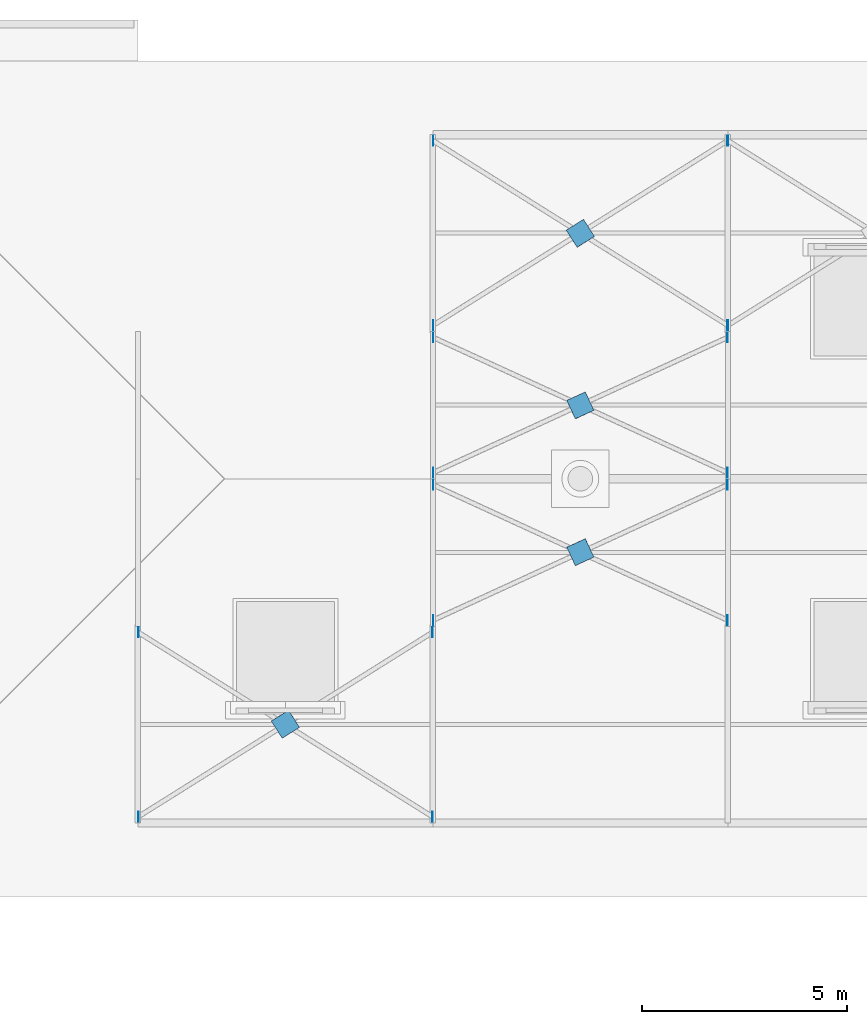
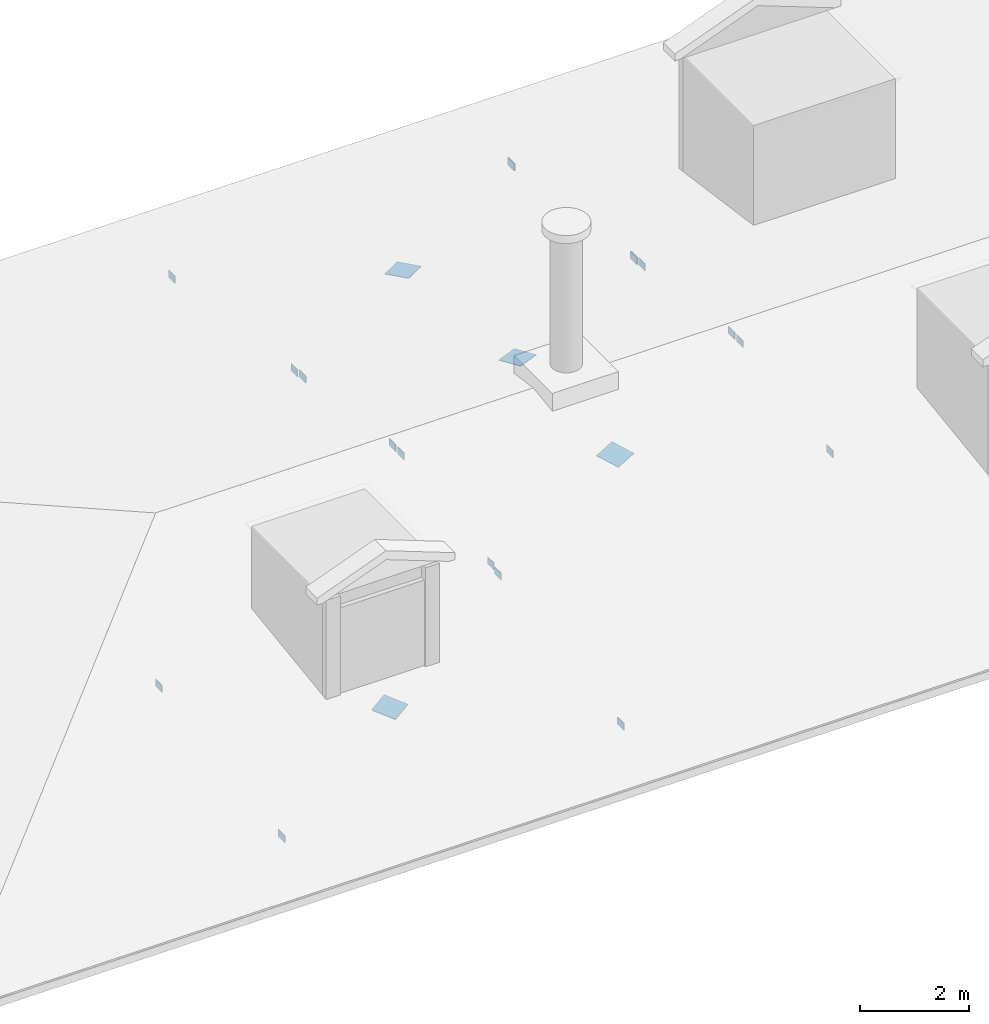
# One storey, part 7 of 24: 22 discrete accessories.
"""IFC4 building model written with IfcOpenShell, lengths in metres."""

from ifc_helpers import new_model, si_unit, direction, frame, origin, origin_2d, place, context, subcontext, project, spatial, rectangle, extrude, material, material_profile, profile_set, type_object, element, save


model = new_model("IFC4")

# Units and contexts
model_context = context("Model", 3, precision=1e-05, world=origin(), true_north=direction((0.0, 1.0)))
body_context = subcontext(model_context, "Body", "Model", "MODEL_VIEW")
ifc_project = project(units=[si_unit("LENGTHUNIT", "METRE"), si_unit("AREAUNIT", "SQUARE_METRE"), si_unit("VOLUMEUNIT", "CUBIC_METRE"), si_unit("PLANEANGLEUNIT", "RADIAN"), si_unit("MASSUNIT", "GRAM", prefix="KILO")], contexts=[model_context])

# Site, building, storey
site_placement = place(None, origin())
site = spatial("IfcSite", under=ifc_project, at=site_placement, CompositionType="ELEMENT")
building_placement = place(site_placement, origin())
building = spatial("IfcBuilding", under=site, at=building_placement, Name="Ussher Court Research Institute", CompositionType="ELEMENT")
storey_placement = place(building_placement, frame((0.0, 0.0, 32.39990234375)))
storey = spatial("IfcBuildingStorey", under=building, at=storey_placement, Name="L07", CompositionType="ELEMENT", Elevation=32.39990234375)

# Discrete accessories
ifc_material_1 = material(Name="Steel S355", Category="steel")
ifc_material_profile_1 = material_profile(ifc_material_1, rectangle(XDim=0.011962890625, YDim=0.239990234375, at=origin_2d()), Name="PL 12x240")
ifc_profile_set_1 = profile_set([ifc_material_profile_1], Name="Steel S355")
discrete_accessory_type_1 = type_object("IfcDiscreteAccessoryType", Name="End plate 12 mm", PredefinedType="ANCHORPLATE", material=ifc_profile_set_1)
for number, where, z_axis, x_axis, name in (
    (1, (10.209228515625, 71.35009765625, -0.10498046875), (0.0, 0.0, 1.0), (1.0, 0.0, 0.0), "GP2 V5 L07-01"),
    (2, (17.390625, 75.85009765625, 0.527587890625), (0.0, 0.0, 1.0), (1.0, 0.0, 0.0), "GP2 V5 L07-02"),
    (3, (10.209228515625, 75.85009765625, 0.527587890625), (0.0, 0.0, 1.0), (1.0, 0.0, 0.0), "GP2 V5 L07-03"),
    (4, (17.390625, 71.35009765625, -0.10498046875), (0.0, 0.0, 1.0), (1.0, 0.0, 0.0), "GP2 V5 L07-04"),
):
    element("IfcDiscreteAccessory", number, at=place(storey_placement, frame(where, z_axis=z_axis, x_axis=x_axis)), inside=storey, type_object=discrete_accessory_type_1, Name=name, PredefinedType="ANCHORPLATE", context=body_context, shape_type="SweptSolid", body=[
        extrude(rectangle(XDim=0.011962890625, YDim=0.239990234375, at=origin_2d()), origin(), (0.0, 0.0, 1.0), 0.159912109375),
    ])
for number, where, z_axis, x_axis, name in (
    (5, (17.4091796875, 76.14990234375, 0.569580078125), (0.0, 0.0, 1.0), (1.0, 0.0, 0.0), "GP2 V5 L07-13"),
    (6, (24.5908203125, 79.449951171875, 1.033447265625), (0.0, 0.0, 1.0), (1.0, 0.0, 0.0), "GP2 V5 L07-14"),
    (7, (17.4091796875, 79.449951171875, 1.033447265625), (0.0, 0.0, 1.0), (1.0, 0.0, 0.0), "GP2 V5 L07-15"),
    (8, (24.5908203125, 76.14990234375, 0.569580078125), (0.0, 0.0, 1.0), (1.0, 0.0, 0.0), "GP2 V5 L07-16"),
    (9, (17.4091796875, 79.75, 1.033447265625), (0.0, 0.0, 1.0), (1.0, 0.0, 0.0), "GP2 V5 L07-25"),
    (10, (24.5908203125, 83.050048828125, 0.569580078125), (0.0, 0.0, 1.0), (1.0, 0.0, 0.0), "GP2 V5 L07-26"),
    (11, (17.4091796875, 83.050048828125, 0.569580078125), (0.0, 0.0, 1.0), (1.0, 0.0, 0.0), "GP2 V5 L07-27"),
    (12, (24.5908203125, 79.75, 1.033447265625), (0.0, 0.0, 1.0), (1.0, 0.0, 0.0), "GP2 V5 L07-28"),
):
    element("IfcDiscreteAccessory", number, at=place(storey_placement, frame(where, z_axis=z_axis, x_axis=x_axis)), inside=storey, type_object=discrete_accessory_type_1, Name=name, PredefinedType="ANCHORPLATE", context=body_context, shape_type="SweptSolid", body=[
        extrude(rectangle(XDim=0.011962890625, YDim=0.239990234375, at=origin_2d()), origin(), (0.0, 0.0, 1.0), 0.16015625),
    ])
for number, where, z_axis, x_axis, name in (
    (13, (17.4091796875, 83.35009765625, 0.527587890625), (0.0, 0.0, 1.0), (1.0, 0.0, 0.0), "GP2 V5 L07-37"),
    (14, (24.5908203125, 87.85009765625, -0.10498046875), (0.0, 0.0, 1.0), (1.0, 0.0, 0.0), "GP2 V5 L07-38"),
    (15, (17.4091796875, 87.85009765625, -0.10498046875), (0.0, 0.0, 1.0), (1.0, 0.0, 0.0), "GP2 V5 L07-39"),
    (16, (24.5908203125, 83.35009765625, 0.527587890625), (0.0, 0.0, 1.0), (1.0, 0.0, 0.0), "GP2 V5 L07-40"),
    (17, (24.609375, 83.35009765625, 0.527587890625), (0.0, 0.0, 1.0), (1.0, 0.0, 0.0), "GP2 V5 L07-41"),
    (18, (24.609375, 87.85009765625, -0.10498046875), (0.0, 0.0, 1.0), (1.0, 0.0, 0.0), "GP2 V5 L07-43"),
):
    element("IfcDiscreteAccessory", number, at=place(storey_placement, frame(where, z_axis=z_axis, x_axis=x_axis)), inside=storey, type_object=discrete_accessory_type_1, Name=name, PredefinedType="ANCHORPLATE", context=body_context, shape_type="SweptSolid", body=[
        extrude(rectangle(XDim=0.011962890625, YDim=0.239990234375, at=origin_2d()), origin(), (0.0, 0.0, 1.0), 0.159912109375),
    ])
ifc_material_2 = material(Name="Steel S355", Category="steel")
ifc_material_profile_2 = material_profile(ifc_material_2, rectangle(XDim=0.5, YDim=0.011962890625, at=origin_2d()), Name="PL 500x12")
ifc_profile_set_2 = profile_set([ifc_material_profile_2], Name="Steel S355")
discrete_accessory_type_2 = type_object("IfcDiscreteAccessoryType", Name="Gusset plate 12 mm", PredefinedType="ANCHORPLATE", material=ifc_profile_set_2)
for number, where, z_axis, x_axis, name in (
    (19, (13.588623046875, 73.47607421875, 0.213134765625), (0.845162253264, 0.529263941386, 0.074702382871), (0.534509764332, -0.836940162325, -0.117603046393), "GP1 V5 L07-01"),
    (20, (20.773193359375, 77.7041015625, 0.8076171875), (0.90705616638, 0.416913867647, 0.058582744868), (0.421009632756, -0.89822775715, -0.126244942123), "GP1 V5 L07-04"),
    (21, (20.773193359375, 81.287353515625, 0.8369140625), (0.90705616638, 0.416913867647, -0.058582744868), (0.421009632756, -0.89822775715, 0.126244942123), "GP1 V5 L07-07"),
    (22, (20.788818359375, 85.459228515625, 0.25048828125), (0.844804111603, 0.529833792537, -0.074713889639), (0.53507567257, -0.836578491246, 0.117602944728), "GP1 V5 L07-10"),
):
    element("IfcDiscreteAccessory", number, at=place(storey_placement, frame(where, z_axis=z_axis, x_axis=x_axis)), inside=storey, type_object=discrete_accessory_type_2, Name=name, PredefinedType="ANCHORPLATE", context=body_context, shape_type="SweptSolid", body=[
        extrude(rectangle(XDim=0.5, YDim=0.011962890625, at=origin_2d()), origin(), (0.0, 0.0, 1.0), 0.5),
    ])

save(model, "model.ifc")
